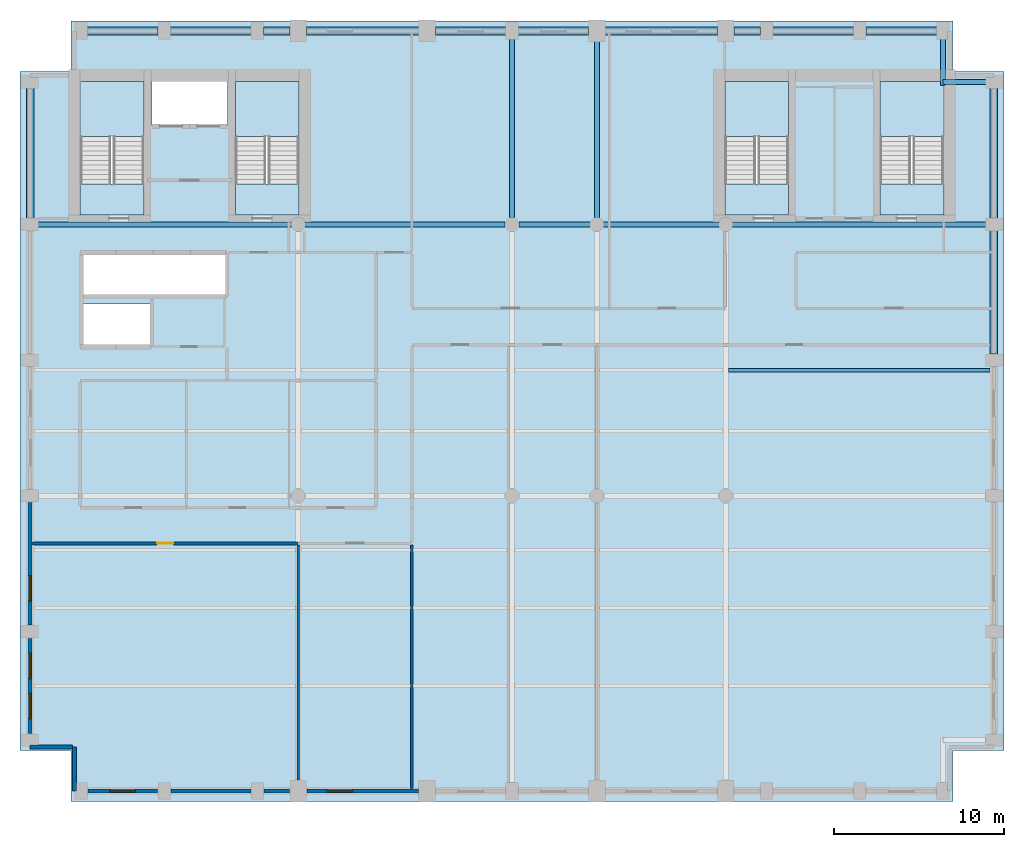
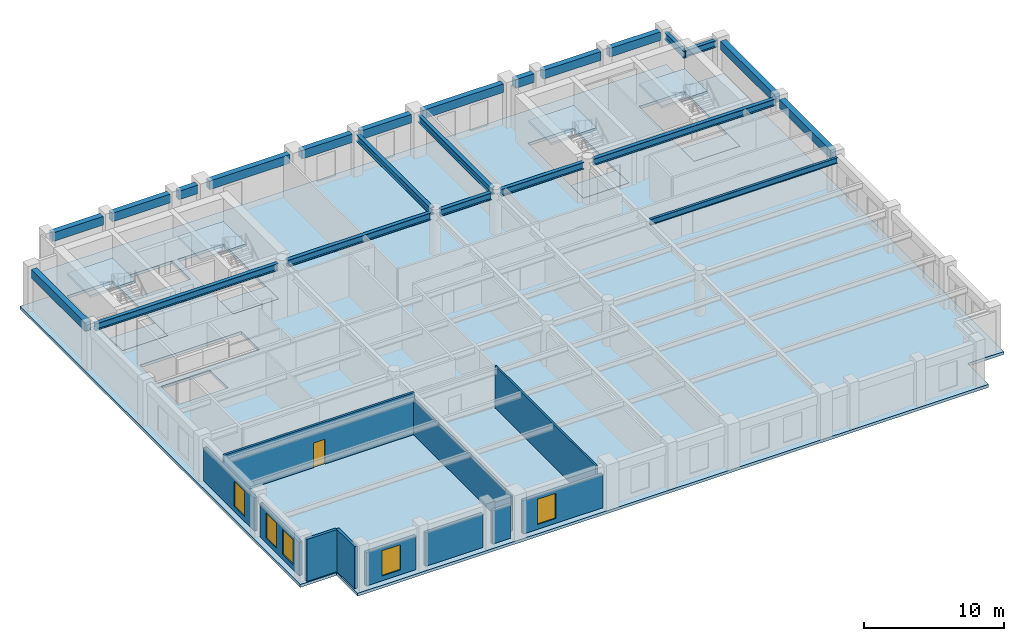
# One storey, part 2 of 8: 23 beams, 11 walls, 9 slabs, 5 windows, 1 door, 6 openings, 4 elements without a shape of their own.
"""IFC4 building model written with IfcOpenShell, lengths in metres."""

from ifc_helpers import new_model, si_unit, direction, frame, frame_2d, origin, origin_2d, place, context, subcontext, project, spatial, polyline, rectangle, i_section, outline, extrude, material, layer, layer_set, material_profile, profile_set, type_object, element, fill, aggregate, save


model = new_model("IFC4")

# Units and contexts
model_context = context("Model", 3, precision=1e-05, world=origin(), true_north=direction((0.0, 1.0)))
body_context = subcontext(model_context, "Body", "Model", "MODEL_VIEW")
ifc_project = project(units=[si_unit("LENGTHUNIT", "METRE"), si_unit("AREAUNIT", "SQUARE_METRE"), si_unit("VOLUMEUNIT", "CUBIC_METRE"), si_unit("PLANEANGLEUNIT", "RADIAN"), si_unit("MASSUNIT", "GRAM", prefix="KILO")], contexts=[model_context])

# Site, building, storey
site_placement = place(None, origin())
site = spatial("IfcSite", under=ifc_project, at=site_placement, CompositionType="ELEMENT")
building_placement = place(site_placement, origin())
building = spatial("IfcBuilding", under=site, at=building_placement, Name="Sulina Concourse Tower", CompositionType="ELEMENT")
storey_placement = place(building_placement, frame((0.0, 0.0, 234.60009765625)))
storey = spatial("IfcBuildingStorey", under=building, at=storey_placement, Name="L57", CompositionType="ELEMENT", Elevation=234.60009765625)

# Beams
ifc_material_1 = material(Name="Steel S355", Category="steel")
ifc_material_profile_1 = material_profile(ifc_material_1, i_section(OverallWidth=0.199951171875, OverallDepth=0.5, WebThickness=0.01025390625, FlangeThickness=0.01611328125, at=origin_2d()), Name="IPE 500")
ifc_profile_set_1 = profile_set([ifc_material_profile_1], Name="Steel S355")
beam_type_1 = type_object("IfcBeamType", Name="Composite Floor Joist IPE500", PredefinedType="JOIST", material=ifc_profile_set_1)
beam_1_placement = place(storey_placement, frame((41.75, 25.39990234375, 3.409912109375), z_axis=(1.0, 0.0, 0.0), x_axis=(0.0, 1.0, 0.0)))
element("IfcBeam", 1, at=beam_1_placement, inside=storey, type_object=beam_type_1, Name="FJ-J25-5-L57", PredefinedType="JOIST", context=body_context, shape_type="SweptSolid", body=[
    extrude(i_section(OverallWidth=0.199951171875, OverallDepth=0.5, WebThickness=0.01025390625, FlangeThickness=0.01611328125, at=origin_2d()), origin(), (0.0, 0.0, 1.0), 15.425048828125),
])
ifc_material_2 = material(Name="Steel S355", Category="steel")
ifc_material_profile_2 = material_profile(ifc_material_2, i_section(OverallWidth=0.300048828125, OverallDepth=0.60009765625, WebThickness=0.015380859375, FlangeThickness=0.030029296875, at=origin_2d()), Name="HE 600 B")
ifc_profile_set_2 = profile_set([ifc_material_profile_2], Name="Steel S355")
beam_type_2 = type_object("IfcBeamType", Name="Floor Primary Girder Zone 3 HE600B", PredefinedType="BEAM", material=ifc_profile_set_2)
beam_2_placement = place(storey_placement, frame((54.39990234375, 42.39990234375, 3.35986328125), z_axis=(1.0, 0.0, 0.0), x_axis=(0.0, 1.0, 0.0)))
element("IfcBeam", 2, at=beam_2_placement, inside=storey, type_object=beam_type_2, Name="TIE-NE-L57", PredefinedType="BEAM", context=body_context, shape_type="SweptSolid", body=[
    extrude(i_section(OverallWidth=0.300048828125, OverallDepth=0.60009765625, WebThickness=0.015380859375, FlangeThickness=0.030029296875, at=origin_2d()), origin(), (0.0, 0.0, 1.0), 2.64501953125),
])
beam_3_placement = place(storey_placement, frame((54.39990234375, 42.199951171875, 3.35986328125), z_axis=(0.0, 1.0, 0.0), x_axis=(-1.0, 0.0, 0.0)))
element("IfcBeam", 3, at=beam_3_placement, inside=storey, type_object=beam_type_2, Name="TIE-NEN-L57", PredefinedType="BEAM", context=body_context, shape_type="SweptSolid", body=[
    extrude(i_section(OverallWidth=0.300048828125, OverallDepth=0.60009765625, WebThickness=0.015380859375, FlangeThickness=0.030029296875, at=origin_2d()), origin(), (0.0, 0.0, 1.0), 2.844970703125),
])
beam_4_placement = place(storey_placement, frame((0.955078125, 34.0, 3.35986328125), z_axis=(1.0, 0.0, 0.0), x_axis=(0.0, 1.0, 0.0)))
element("IfcBeam", 4, at=beam_4_placement, inside=storey, type_object=beam_type_2, Name="FG-EWN1-L57", PredefinedType="BEAM", context=body_context, shape_type="SweptSolid", body=[
    extrude(i_section(OverallWidth=0.300048828125, OverallDepth=0.60009765625, WebThickness=0.015380859375, FlangeThickness=0.030029296875, at=origin_2d()), origin(), (0.0, 0.0, 1.0), 15.0400390625),
])
beam_5_placement = place(storey_placement, frame((16.804931640625, 34.0, 3.35986328125), z_axis=(1.0, 0.0, 0.0), x_axis=(0.0, 1.0, 0.0)))
element("IfcBeam", 5, at=beam_5_placement, inside=storey, type_object=beam_type_2, Name="FG-EWN2-L57", PredefinedType="BEAM", context=body_context, shape_type="SweptSolid", body=[
    extrude(i_section(OverallWidth=0.300048828125, OverallDepth=0.60009765625, WebThickness=0.015380859375, FlangeThickness=0.030029296875, at=origin_2d()), origin(), (0.0, 0.0, 1.0), 11.7900390625),
])
beam_6_placement = place(storey_placement, frame((29.405029296875, 34.0, 3.35986328125), z_axis=(1.0, 0.0, 0.0), x_axis=(0.0, 1.0, 0.0)))
element("IfcBeam", 6, at=beam_6_placement, inside=storey, type_object=beam_type_2, Name="FG-EWN3-L57", PredefinedType="BEAM", context=body_context, shape_type="SweptSolid", body=[
    extrude(i_section(OverallWidth=0.300048828125, OverallDepth=0.60009765625, WebThickness=0.015380859375, FlangeThickness=0.030029296875, at=origin_2d()), origin(), (0.0, 0.0, 1.0), 4.18994140625),
])
beam_7_placement = place(storey_placement, frame((34.405029296875, 34.0, 3.35986328125), z_axis=(1.0, 0.0, 0.0), x_axis=(0.0, 1.0, 0.0)))
element("IfcBeam", 7, at=beam_7_placement, inside=storey, type_object=beam_type_2, Name="FG-EWN4-L57", PredefinedType="BEAM", context=body_context, shape_type="SweptSolid", body=[
    extrude(i_section(OverallWidth=0.300048828125, OverallDepth=0.60009765625, WebThickness=0.015380859375, FlangeThickness=0.030029296875, at=origin_2d()), origin(), (0.0, 0.0, 1.0), 6.7900390625),
])
beam_8_placement = place(storey_placement, frame((42.0048828125, 34.0, 3.35986328125), z_axis=(1.0, 0.0, 0.0), x_axis=(0.0, 1.0, 0.0)))
element("IfcBeam", 8, at=beam_8_placement, inside=storey, type_object=beam_type_2, Name="FG-EWN5-L57", PredefinedType="BEAM", context=body_context, shape_type="SweptSolid", body=[
    extrude(i_section(OverallWidth=0.300048828125, OverallDepth=0.60009765625, WebThickness=0.015380859375, FlangeThickness=0.030029296875, at=origin_2d()), origin(), (0.0, 0.0, 1.0), 15.0400390625),
])
beam_9_placement = place(storey_placement, frame((29.0, 34.405029296875, 3.35986328125), z_axis=(0.0, 1.0, 0.0), x_axis=(-1.0, 0.0, 0.0)))
element("IfcBeam", 9, at=beam_9_placement, inside=storey, type_object=beam_type_2, Name="FG-NSC-29-L57", PredefinedType="BEAM", context=body_context, shape_type="SweptSolid", body=[
    extrude(i_section(OverallWidth=0.300048828125, OverallDepth=0.60009765625, WebThickness=0.015380859375, FlangeThickness=0.030029296875, at=origin_2d()), origin(), (0.0, 0.0, 1.0), 10.639892578125),
])
beam_10_placement = place(storey_placement, frame((34.0, 34.405029296875, 3.35986328125), z_axis=(0.0, 1.0, 0.0), x_axis=(-1.0, 0.0, 0.0)))
element("IfcBeam", 10, at=beam_10_placement, inside=storey, type_object=beam_type_2, Name="FG-NSC-34-L57", PredefinedType="BEAM", context=body_context, shape_type="SweptSolid", body=[
    extrude(i_section(OverallWidth=0.300048828125, OverallDepth=0.60009765625, WebThickness=0.015380859375, FlangeThickness=0.030029296875, at=origin_2d()), origin(), (0.0, 0.0, 1.0), 10.514892578125),
])
ifc_material_3 = material(Name="Precast concrete C50/60", Category="concrete")
ifc_material_profile_3 = material_profile(ifc_material_3, rectangle(XDim=0.449951171875, YDim=0.75, at=origin_2d()), Name="RC 450x750")
ifc_profile_set_3 = profile_set([ifc_material_profile_3], Name="Precast concrete C50/60")
beam_type_3 = type_object("IfcBeamType", Name="Upper Precast Spandrel Edge Beam 450x750", PredefinedType="BEAM", material=ifc_profile_set_3)
beam_11_placement = place(storey_placement, frame((3.955078125, 45.39990234375, 3.284912109375), z_axis=(1.0, 0.0, 0.0), x_axis=(0.0, 1.0, 0.0)))
element("IfcBeam", 11, at=beam_11_placement, inside=storey, type_object=beam_type_3, Name="SP-N1-L57", PredefinedType="BEAM", context=body_context, shape_type="SweptSolid", body=[
    extrude(rectangle(XDim=0.449951171875, YDim=0.75, at=origin_2d()), origin(), (0.0, 0.0, 1.0), 4.18994140625),
])
beam_12_placement = place(storey_placement, frame((8.85498046875, 45.39990234375, 3.284912109375), z_axis=(1.0, 0.0, 0.0), x_axis=(0.0, 1.0, 0.0)))
element("IfcBeam", 12, at=beam_12_placement, inside=storey, type_object=beam_type_3, Name="SP-N2-L57", PredefinedType="BEAM", context=body_context, shape_type="SweptSolid", body=[
    extrude(rectangle(XDim=0.449951171875, YDim=0.75, at=origin_2d()), origin(), (0.0, 0.0, 1.0), 4.7900390625),
])
beam_13_placement = place(storey_placement, frame((14.35498046875, 45.39990234375, 3.284912109375), z_axis=(1.0, 0.0, 0.0), x_axis=(0.0, 1.0, 0.0)))
element("IfcBeam", 13, at=beam_13_placement, inside=storey, type_object=beam_type_3, Name="SP-N3-L57", PredefinedType="BEAM", context=body_context, shape_type="SweptSolid", body=[
    extrude(rectangle(XDim=0.449951171875, YDim=0.75, at=origin_2d()), origin(), (0.0, 0.0, 1.0), 1.56494140625),
])
beam_14_placement = place(storey_placement, frame((16.8798828125, 45.39990234375, 3.284912109375), z_axis=(1.0, 0.0, 0.0), x_axis=(0.0, 1.0, 0.0)))
element("IfcBeam", 14, at=beam_14_placement, inside=storey, type_object=beam_type_3, Name="SP-N4-L57", PredefinedType="BEAM", context=body_context, shape_type="SweptSolid", body=[
    extrude(rectangle(XDim=0.449951171875, YDim=0.75, at=origin_2d()), origin(), (0.0, 0.0, 1.0), 6.64013671875),
])
for number, where, z_axis, x_axis, name in (
    (15, (24.47998046875, 45.39990234375, 3.284912109375), (1.0, 0.0, 0.0), (0.0, 1.0, 0.0), "SP-N5-L57"),
    (16, (29.35498046875, 45.39990234375, 3.284912109375), (1.0, 0.0, 0.0), (0.0, 1.0, 0.0), "SP-N6-L57"),
):
    element("IfcBeam", number, at=place(storey_placement, frame(where, z_axis=z_axis, x_axis=x_axis)), inside=storey, type_object=beam_type_3, Name=name, PredefinedType="BEAM", context=body_context, shape_type="SweptSolid", body=[
        extrude(rectangle(XDim=0.449951171875, YDim=0.75, at=origin_2d()), origin(), (0.0, 0.0, 1.0), 4.1650390625),
    ])
beam_15_placement = place(storey_placement, frame((34.47998046875, 45.39990234375, 3.284912109375), z_axis=(1.0, 0.0, 0.0), x_axis=(0.0, 1.0, 0.0)))
element("IfcBeam", 17, at=beam_15_placement, inside=storey, type_object=beam_type_3, Name="SP-N7-L57", PredefinedType="BEAM", context=body_context, shape_type="SweptSolid", body=[
    extrude(rectangle(XDim=0.449951171875, YDim=0.75, at=origin_2d()), origin(), (0.0, 0.0, 1.0), 6.64013671875),
])
beam_16_placement = place(storey_placement, frame((42.080078125, 45.39990234375, 3.284912109375), z_axis=(1.0, 0.0, 0.0), x_axis=(0.0, 1.0, 0.0)))
element("IfcBeam", 18, at=beam_16_placement, inside=storey, type_object=beam_type_3, Name="SP-N8-L57", PredefinedType="BEAM", context=body_context, shape_type="SweptSolid", body=[
    extrude(rectangle(XDim=0.449951171875, YDim=0.75, at=origin_2d()), origin(), (0.0, 0.0, 1.0), 1.56494140625),
])
beam_17_placement = place(storey_placement, frame((44.35498046875, 45.39990234375, 3.284912109375), z_axis=(1.0, 0.0, 0.0), x_axis=(0.0, 1.0, 0.0)))
element("IfcBeam", 19, at=beam_17_placement, inside=storey, type_object=beam_type_3, Name="SP-N9-L57", PredefinedType="BEAM", context=body_context, shape_type="SweptSolid", body=[
    extrude(rectangle(XDim=0.449951171875, YDim=0.75, at=origin_2d()), origin(), (0.0, 0.0, 1.0), 4.7900390625),
])
beam_18_placement = place(storey_placement, frame((49.85498046875, 45.39990234375, 3.284912109375), z_axis=(1.0, 0.0, 0.0), x_axis=(0.0, 1.0, 0.0)))
element("IfcBeam", 20, at=beam_18_placement, inside=storey, type_object=beam_type_3, Name="SP-N10-L57", PredefinedType="BEAM", context=body_context, shape_type="SweptSolid", body=[
    extrude(rectangle(XDim=0.449951171875, YDim=0.75, at=origin_2d()), origin(), (0.0, 0.0, 1.0), 4.18994140625),
])
beam_19_placement = place(storey_placement, frame((0.60009765625, 34.35498046875, 3.284912109375), z_axis=(0.0, 1.0, 0.0), x_axis=(-1.0, 0.0, 0.0)))
element("IfcBeam", 21, at=beam_19_placement, inside=storey, type_object=beam_type_3, Name="SP-W5-L57", PredefinedType="BEAM", context=body_context, shape_type="SweptSolid", body=[
    extrude(rectangle(XDim=0.449951171875, YDim=0.75, at=origin_2d()), origin(), (0.0, 0.0, 1.0), 7.68994140625),
])
beam_20_placement = place(storey_placement, frame((57.39990234375, 26.35498046875, 3.284912109375), z_axis=(0.0, 1.0, 0.0), x_axis=(-1.0, 0.0, 0.0)))
element("IfcBeam", 22, at=beam_20_placement, inside=storey, type_object=beam_type_3, Name="SP-E4-L57", PredefinedType="BEAM", context=body_context, shape_type="SweptSolid", body=[
    extrude(rectangle(XDim=0.449951171875, YDim=0.75, at=origin_2d()), origin(), (0.0, 0.0, 1.0), 7.2900390625),
])
beam_21_placement = place(storey_placement, frame((57.39990234375, 34.35498046875, 3.284912109375), z_axis=(0.0, 1.0, 0.0), x_axis=(-1.0, 0.0, 0.0)))
element("IfcBeam", 23, at=beam_21_placement, inside=storey, type_object=beam_type_3, Name="SP-E5-L57", PredefinedType="BEAM", context=body_context, shape_type="SweptSolid", body=[
    extrude(rectangle(XDim=0.449951171875, YDim=0.75, at=origin_2d()), origin(), (0.0, 0.0, 1.0), 7.68994140625),
])

# Slabs
ifc_material_4 = material(Name="Concrete C50/60", Category="concrete")
ifc_layer_1 = layer(ifc_material_4, 0.25)
ifc_layer_set_1 = layer_set([ifc_layer_1], Name="Concrete C50/60")
slab_type_1 = type_object("IfcSlabType", Name="High-Rise Composite Floor Slab 250mm", PredefinedType="FLOOR", material=ifc_layer_set_1)
slab_1_placement = place(storey_placement, frame((0.0, 0.0, -0.25)))
element("IfcSlab", 24, at=slab_1_placement, inside=storey, type_object=slab_type_1, Name="L57 structural floor slab", PredefinedType="FLOOR", context=body_context, shape_type="SweptSolid", body=[
    extrude(outline(polyline([(3.0, 0.0), (55.0, 0.0), (55.0, 3.0), (58.0, 3.0), (58.0, 43.0), (55.0, 43.0), (55.0, 46.0), (3.0, 46.0), (3.0, 43.0), (0.0, 43.0), (0.0, 3.0), (3.0, 3.0), (3.0, 0.0)]), holes=[polyline([(7.31005859375, 34.550048828125), (7.31005859375, 42.429931640625), (3.550048828125, 42.429931640625), (3.550048828125, 34.550048828125), (7.31005859375, 34.550048828125)]), polyline([(16.449951171875, 34.550048828125), (16.449951171875, 42.429931640625), (12.68994140625, 42.429931640625), (12.68994140625, 34.550048828125), (16.449951171875, 34.550048828125)]), polyline([(45.31005859375, 34.550048828125), (45.31005859375, 42.429931640625), (41.550048828125, 42.429931640625), (41.550048828125, 34.550048828125), (45.31005859375, 34.550048828125)]), polyline([(54.449951171875, 34.550048828125), (54.449951171875, 42.429931640625), (50.68994140625, 42.429931640625), (50.68994140625, 34.550048828125), (54.449951171875, 34.550048828125)]), polyline([(7.780029296875, 39.830078125), (12.219970703125, 39.830078125), (12.219970703125, 42.449951171875), (7.780029296875, 42.449951171875), (7.780029296875, 39.830078125)]), polyline([(3.739990234375, 26.780029296875), (7.77001953125, 26.780029296875), (7.77001953125, 29.320068359375), (3.739990234375, 29.320068359375), (3.739990234375, 26.780029296875)]), polyline([(3.739990234375, 29.780029296875), (12.10009765625, 29.780029296875), (12.10009765625, 32.3701171875), (3.739990234375, 32.3701171875), (3.739990234375, 29.780029296875)])]), origin(), (0.0, 0.0, 1.0), 0.25),
])
ifc_material_5 = material(Name="Concrete C50/60", Category="concrete")
ifc_layer_2 = layer(ifc_material_5, 0.199951171875)
ifc_layer_set_2 = layer_set([ifc_layer_2], Name="Concrete C50/60")
slab_type_2 = type_object("IfcSlabType", Name="Primary Core Stair Landing Slab 200mm", PredefinedType="LANDING", material=ifc_layer_set_2)
slab_2_placement = place(storey_placement, frame((0.0, 0.0, -0.2001953125)))
element("IfcSlab", 25, at=slab_2_placement, inside=storey, type_object=slab_type_2, Name="L57 ST-1 floor landing slab", PredefinedType="LANDING", context=body_context, shape_type="SweptSolid", body=[
    extrude(outline(polyline([(7.31005859375, 34.550048828125), (7.31005859375, 36.375), (3.550048828125, 36.375), (3.550048828125, 34.550048828125), (7.31005859375, 34.550048828125)])), origin(), (0.0, 0.0, 1.0), 0.2001953125),
])
slab_3_placement = place(storey_placement, frame((0.0, 0.0, -0.2001953125)))
element("IfcSlab", 26, at=slab_3_placement, inside=storey, type_object=slab_type_2, Name="L57 ST-2 floor landing slab", PredefinedType="LANDING", context=body_context, shape_type="SweptSolid", body=[
    extrude(outline(polyline([(16.449951171875, 34.550048828125), (16.449951171875, 36.375), (12.68994140625, 36.375), (12.68994140625, 34.550048828125), (16.449951171875, 34.550048828125)])), origin(), (0.0, 0.0, 1.0), 0.2001953125),
])
slab_4_placement = place(storey_placement, frame((0.0, 0.0, -0.2001953125)))
element("IfcSlab", 27, at=slab_4_placement, inside=storey, type_object=slab_type_2, Name="L57 ST-3 floor landing slab", PredefinedType="LANDING", context=body_context, shape_type="SweptSolid", body=[
    extrude(outline(polyline([(45.31005859375, 34.550048828125), (45.31005859375, 36.375), (41.550048828125, 36.375), (41.550048828125, 34.550048828125), (45.31005859375, 34.550048828125)])), origin(), (0.0, 0.0, 1.0), 0.2001953125),
])
slab_5_placement = place(storey_placement, frame((0.0, 0.0, -0.2001953125)))
element("IfcSlab", 28, at=slab_5_placement, inside=storey, type_object=slab_type_2, Name="L57 ST-4 floor landing slab", PredefinedType="LANDING", context=body_context, shape_type="SweptSolid", body=[
    extrude(outline(polyline([(54.449951171875, 34.550048828125), (54.449951171875, 36.375), (50.68994140625, 36.375), (50.68994140625, 34.550048828125), (54.449951171875, 34.550048828125)])), origin(), (0.0, 0.0, 1.0), 0.2001953125),
])

# Stair, slab
ifc_material_6 = material(Name="Concrete C50/60", Category="concrete")
stair_type_1 = type_object("IfcStairType", Name="Primary Core Dog-Leg Exit Stair 1800mm", PredefinedType="HALF_TURN_STAIR", material=ifc_material_6)
stair_1_placement = place(storey_placement, origin())
stair_1 = element("IfcStair", 29, at=stair_1_placement, inside=storey, type_object=stair_type_1, Name="L57 ST-1", PredefinedType="HALF_TURN_STAIR")
slab_6_placement = place(storey_placement, frame((0.0, 0.0, 1.7998046875)))
slab_6 = element("IfcSlab", 30, at=slab_6_placement, type_object=slab_type_2, Name="ST-1 landing 1", PredefinedType="LANDING", context=body_context, shape_type="SweptSolid", body=[
    extrude(outline(polyline([(7.304931640625, 39.175048828125), (7.304931640625, 42.425048828125), (3.554931640625, 42.425048828125), (3.554931640625, 39.175048828125), (7.304931640625, 39.175048828125)])), origin(), (0.0, 0.0, 1.0), 0.2001953125),
])
aggregate(stair_1, [slab_6])

stair_2_placement = place(storey_placement, origin())
stair_2 = element("IfcStair", 31, at=stair_2_placement, inside=storey, type_object=stair_type_1, Name="L57 ST-2", PredefinedType="HALF_TURN_STAIR")
slab_7_placement = place(storey_placement, frame((0.0, 0.0, 1.7998046875)))
slab_7 = element("IfcSlab", 32, at=slab_7_placement, type_object=slab_type_2, Name="ST-2 landing 1", PredefinedType="LANDING", context=body_context, shape_type="SweptSolid", body=[
    extrude(outline(polyline([(16.445068359375, 39.175048828125), (16.445068359375, 42.425048828125), (12.695068359375, 42.425048828125), (12.695068359375, 39.175048828125), (16.445068359375, 39.175048828125)])), origin(), (0.0, 0.0, 1.0), 0.2001953125),
])
aggregate(stair_2, [slab_7])

ifc_material_7 = material(Name="Concrete C50/60", Category="concrete")
stair_type_2 = type_object("IfcStairType", Name="Portal & Podium Core Exit Stair 1820mm", PredefinedType="HALF_TURN_STAIR", material=ifc_material_7)
stair_3_placement = place(storey_placement, origin())
stair_3 = element("IfcStair", 33, at=stair_3_placement, inside=storey, type_object=stair_type_2, Name="L57 ST-3", PredefinedType="HALF_TURN_STAIR")
slab_8_placement = place(storey_placement, frame((0.0, 0.0, 1.7998046875)))
slab_8 = element("IfcSlab", 34, at=slab_8_placement, type_object=slab_type_2, Name="ST-3 landing 1", PredefinedType="LANDING", context=body_context, shape_type="SweptSolid", body=[
    extrude(outline(polyline([(45.304931640625, 39.175048828125), (45.304931640625, 42.425048828125), (41.554931640625, 42.425048828125), (41.554931640625, 39.175048828125), (45.304931640625, 39.175048828125)])), origin(), (0.0, 0.0, 1.0), 0.2001953125),
])
aggregate(stair_3, [slab_8])

stair_4_placement = place(storey_placement, origin())
stair_4 = element("IfcStair", 35, at=stair_4_placement, inside=storey, type_object=stair_type_2, Name="L57 ST-4", PredefinedType="HALF_TURN_STAIR")
slab_9_placement = place(storey_placement, frame((0.0, 0.0, 1.7998046875)))
slab_9 = element("IfcSlab", 36, at=slab_9_placement, type_object=slab_type_2, Name="ST-4 landing 1", PredefinedType="LANDING", context=body_context, shape_type="SweptSolid", body=[
    extrude(outline(polyline([(54.445068359375, 39.175048828125), (54.445068359375, 42.425048828125), (50.695068359375, 42.425048828125), (50.695068359375, 39.175048828125), (54.445068359375, 39.175048828125)])), origin(), (0.0, 0.0, 1.0), 0.2001953125),
])
aggregate(stair_4, [slab_9])

# Wall, opening, window
ifc_material_8 = material(Name="Precast concrete C50/60", Category="concrete")
ifc_layer_3 = layer(ifc_material_8, 0.239990234375)
ifc_layer_set_3 = layer_set([ifc_layer_3], Name="Precast concrete C50/60")
wall_type_1 = type_object("IfcWallType", Name="Crown Precast Masonry-Frame Facade Wall 240mm", PredefinedType="SOLIDWALL", material=ifc_layer_set_3)
wall_1_placement = place(storey_placement, frame((8.10498046875, 0.60009765625, 0.0), z_axis=(0.0, 0.0, 1.0), x_axis=(-1.0, 0.0, 0.0)))
wall_1 = element("IfcWall", 37, at=wall_1_placement, inside=storey, type_object=wall_type_1, Name="L57 exterior precast wall S1", PredefinedType="SOLIDWALL", context=body_context, shape_type="SweptSolid", body=[
    extrude(rectangle(XDim=4.10986328125, YDim=0.239990234375, at=frame_2d((2.054931640625, 0.0))), origin(), (0.0, 0.0, 1.0), 2.909912109375),
])
opening_1_placement = place(wall_1_placement, frame((1.304931640625, 0.0, 0.419921875)))
opening_1 = element("IfcOpeningElement", 38, at=opening_1_placement, cuts=wall_1, Name="Opening WN-71", PredefinedType="OPENING", context=body_context, shape_type="SweptSolid", body=[
    extrude(rectangle(XDim=1.5, YDim=2.199951171875, at=frame_2d((0.75, 1.10009765625))), frame((0.0, 0.1298828125, 0.0), z_axis=(0.0, -1.0, 0.0), x_axis=(1.0, 0.0, 0.0)), (0.0, 0.0, 1.0), 0.260009765625),
])
ifc_material_9 = material(Name="Low-E solar double glazing in bronze aluminium", Category="aluminium")
window_type = type_object("IfcWindowType", Name="Punched Masonry-Frame Window 1500x2200", PartitioningType="SINGLE_PANEL", PredefinedType="WINDOW", material=ifc_material_9)
window_1_placement = place(opening_1_placement, origin())
window_1 = element("IfcWindow", 39, at=window_1_placement, inside=storey, type_object=window_type, Name="L57 punched window S1-1", OverallHeight=2.199951171875, OverallWidth=1.5, PartitioningType="SINGLE_PANEL", PredefinedType="WINDOW", context=body_context, shape_type="SweptSolid", body=[
    extrude(rectangle(XDim=1.5, YDim=2.199951171875, at=frame_2d((0.75, 1.10009765625))), frame((0.0, 0.030029296875, 0.0), z_axis=(0.0, -1.0, 0.0), x_axis=(1.0, 0.0, 0.0)), (0.0, 0.0, 1.0), 0.06005859375),
])
fill(opening_1, window_1)

# Walls
wall_2_placement = place(storey_placement, frame((13.60498046875, 0.60009765625, 0.0), z_axis=(0.0, 0.0, 1.0), x_axis=(-1.0, 0.0, 0.0)))
element("IfcWall", 40, at=wall_2_placement, inside=storey, type_object=wall_type_1, Name="L57 exterior precast wall S2", PredefinedType="SOLIDWALL", context=body_context, shape_type="SweptSolid", body=[
    extrude(rectangle(XDim=4.7099609375, YDim=0.239990234375, at=frame_2d((2.35498046875, 0.0))), origin(), (0.0, 0.0, 1.0), 2.909912109375),
])
wall_3_placement = place(storey_placement, frame((15.8798828125, 0.60009765625, 0.0), z_axis=(0.0, 0.0, 1.0), x_axis=(-1.0, 0.0, 0.0)))
element("IfcWall", 41, at=wall_3_placement, inside=storey, type_object=wall_type_1, Name="L57 exterior precast wall S3", PredefinedType="SOLIDWALL", context=body_context, shape_type="SweptSolid", body=[
    extrude(rectangle(XDim=1.48486328125, YDim=0.239990234375, at=frame_2d((0.742431640625, 0.0))), origin(), (0.0, 0.0, 1.0), 2.909912109375),
])

# Wall, opening, window
wall_4_placement = place(storey_placement, frame((23.47998046875, 0.60009765625, 0.0), z_axis=(0.0, 0.0, 1.0), x_axis=(-1.0, 0.0, 0.0)))
wall_4 = element("IfcWall", 42, at=wall_4_placement, inside=storey, type_object=wall_type_1, Name="L57 exterior precast wall S4", PredefinedType="SOLIDWALL", context=body_context, shape_type="SweptSolid", body=[
    extrude(rectangle(XDim=6.56005859375, YDim=0.239990234375, at=frame_2d((3.280029296875, 0.0))), origin(), (0.0, 0.0, 1.0), 2.909912109375),
])
opening_2_placement = place(wall_4_placement, frame((3.873291015625, 0.0, 0.419921875)))
opening_2 = element("IfcOpeningElement", 43, at=opening_2_placement, cuts=wall_4, Name="Opening WN-71", PredefinedType="OPENING", context=body_context, shape_type="SweptSolid", body=[
    extrude(rectangle(XDim=1.5, YDim=2.199951171875, at=frame_2d((0.75, 1.10009765625))), frame((0.0, 0.1298828125, 0.0), z_axis=(0.0, -1.0, 0.0), x_axis=(1.0, 0.0, 0.0)), (0.0, 0.0, 1.0), 0.260009765625),
])
window_2_placement = place(opening_2_placement, origin())
window_2 = element("IfcWindow", 44, at=window_2_placement, inside=storey, type_object=window_type, Name="L57 punched window S4-1", OverallHeight=2.199951171875, OverallWidth=1.5, PartitioningType="SINGLE_PANEL", PredefinedType="WINDOW", context=body_context, shape_type="SweptSolid", body=[
    extrude(rectangle(XDim=1.5, YDim=2.199951171875, at=frame_2d((0.75, 1.10009765625))), frame((0.0, 0.030029296875, 0.0), z_axis=(0.0, -1.0, 0.0), x_axis=(1.0, 0.0, 0.0)), (0.0, 0.0, 1.0), 0.06005859375),
])
fill(opening_2, window_2)

# Wall, openings, windows
wall_5_placement = place(storey_placement, frame((0.60009765625, 3.9951171875, 0.0), z_axis=(0.0, 0.0, 1.0), x_axis=(0.0, 1.0, 0.0)))
wall_5 = element("IfcWall", 45, at=wall_5_placement, inside=storey, type_object=wall_type_1, Name="L57 exterior precast wall W1", PredefinedType="SOLIDWALL", context=body_context, shape_type="SweptSolid", body=[
    extrude(rectangle(XDim=5.60986328125, YDim=0.239990234375, at=frame_2d((2.804931640625, 0.0))), origin(), (0.0, 0.0, 1.0), 2.909912109375),
])
opening_3_placement = place(wall_5_placement, frame((0.8701171875, 0.0, 0.419921875)))
opening_3 = element("IfcOpeningElement", 46, at=opening_3_placement, cuts=wall_5, Name="Opening WN-71", PredefinedType="OPENING", context=body_context, shape_type="SweptSolid", body=[
    extrude(rectangle(XDim=1.5, YDim=2.199951171875, at=frame_2d((0.75, 1.10009765625))), frame((0.0, 0.1298828125, 0.0), z_axis=(0.0, -1.0, 0.0), x_axis=(1.0, 0.0, 0.0)), (0.0, 0.0, 1.0), 0.260009765625),
])
opening_4_placement = place(wall_5_placement, frame((3.239990234375, 0.0, 0.419921875)))
opening_4 = element("IfcOpeningElement", 47, at=opening_4_placement, cuts=wall_5, Name="Opening WN-71", PredefinedType="OPENING", context=body_context, shape_type="SweptSolid", body=[
    extrude(rectangle(XDim=1.5, YDim=2.199951171875, at=frame_2d((0.75, 1.10009765625))), frame((0.0, 0.1298828125, 0.0), z_axis=(0.0, -1.0, 0.0), x_axis=(1.0, 0.0, 0.0)), (0.0, 0.0, 1.0), 0.260009765625),
])
window_3_placement = place(opening_3_placement, origin())
window_3 = element("IfcWindow", 48, at=window_3_placement, inside=storey, type_object=window_type, Name="L57 punched window W1-1", OverallHeight=2.199951171875, OverallWidth=1.5, PartitioningType="SINGLE_PANEL", PredefinedType="WINDOW", context=body_context, shape_type="SweptSolid", body=[
    extrude(rectangle(XDim=1.5, YDim=2.199951171875, at=frame_2d((0.75, 1.10009765625))), frame((0.0, 0.030029296875, 0.0), z_axis=(0.0, -1.0, 0.0), x_axis=(1.0, 0.0, 0.0)), (0.0, 0.0, 1.0), 0.06005859375),
])
fill(opening_3, window_3)
window_4_placement = place(opening_4_placement, origin())
window_4 = element("IfcWindow", 49, at=window_4_placement, inside=storey, type_object=window_type, Name="L57 punched window W1-2", OverallHeight=2.199951171875, OverallWidth=1.5, PartitioningType="SINGLE_PANEL", PredefinedType="WINDOW", context=body_context, shape_type="SweptSolid", body=[
    extrude(rectangle(XDim=1.5, YDim=2.199951171875, at=frame_2d((0.75, 1.10009765625))), frame((0.0, 0.030029296875, 0.0), z_axis=(0.0, -1.0, 0.0), x_axis=(1.0, 0.0, 0.0)), (0.0, 0.0, 1.0), 0.06005859375),
])
fill(opening_4, window_4)

# Wall, opening, window
wall_6_placement = place(storey_placement, frame((0.60009765625, 10.39501953125, 0.0), z_axis=(0.0, 0.0, 1.0), x_axis=(0.0, 1.0, 0.0)))
wall_6 = element("IfcWall", 50, at=wall_6_placement, inside=storey, type_object=wall_type_1, Name="L57 exterior precast wall W2", PredefinedType="SOLIDWALL", context=body_context, shape_type="SweptSolid", body=[
    extrude(rectangle(XDim=7.2099609375, YDim=0.239990234375, at=frame_2d((3.60498046875, 0.0))), origin(), (0.0, 0.0, 1.0), 2.909912109375),
])
opening_5_placement = place(wall_6_placement, frame((1.4033203125, 0.0, 0.419921875)))
opening_5 = element("IfcOpeningElement", 51, at=opening_5_placement, cuts=wall_6, Name="Opening WN-71", PredefinedType="OPENING", context=body_context, shape_type="SweptSolid", body=[
    extrude(rectangle(XDim=1.5, YDim=2.199951171875, at=frame_2d((0.75, 1.10009765625))), frame((0.0, 0.1298828125, 0.0), z_axis=(0.0, -1.0, 0.0), x_axis=(1.0, 0.0, 0.0)), (0.0, 0.0, 1.0), 0.260009765625),
])
window_5_placement = place(opening_5_placement, origin())
window_5 = element("IfcWindow", 52, at=window_5_placement, inside=storey, type_object=window_type, Name="L57 punched window W2-1", OverallHeight=2.199951171875, OverallWidth=1.5, PartitioningType="SINGLE_PANEL", PredefinedType="WINDOW", context=body_context, shape_type="SweptSolid", body=[
    extrude(rectangle(XDim=1.5, YDim=2.199951171875, at=frame_2d((0.75, 1.10009765625))), frame((0.0, 0.030029296875, 0.0), z_axis=(0.0, -1.0, 0.0), x_axis=(1.0, 0.0, 0.0)), (0.0, 0.0, 1.0), 0.06005859375),
])
fill(opening_5, window_5)

# Walls
wall_7_placement = place(storey_placement, frame((3.205078125, 0.60009765625, 0.0), z_axis=(0.0, 0.0, 1.0), x_axis=(0.0, 1.0, 0.0)))
element("IfcWall", 53, at=wall_7_placement, inside=storey, type_object=wall_type_1, Name="L57 exterior precast wall CSW1", PredefinedType="SOLIDWALL", context=body_context, shape_type="SweptSolid", body=[
    extrude(rectangle(XDim=2.60498046875, YDim=0.239990234375, at=frame_2d((1.302490234375, 0.0))), origin(), (0.0, 0.0, 1.0), 3.659912109375),
])
wall_8_placement = place(storey_placement, frame((3.080078125, 3.205078125, 0.0), z_axis=(0.0, 0.0, 1.0), x_axis=(-1.0, 0.0, 0.0)))
element("IfcWall", 54, at=wall_8_placement, inside=storey, type_object=wall_type_1, Name="L57 exterior precast wall CSW2", PredefinedType="SOLIDWALL", context=body_context, shape_type="SweptSolid", body=[
    extrude(rectangle(XDim=2.47998046875, YDim=0.239990234375, at=frame_2d((1.239990234375, 0.0))), origin(), (0.0, 0.0, 1.0), 3.659912109375),
])
ifc_material_10 = material(Name="Gypsum board on steel stud", Category="steel")
ifc_layer_4 = layer(ifc_material_10, 0.14990234375)
ifc_layer_set_4 = layer_set([ifc_layer_4], Name="Gypsum board on steel stud")
wall_type_2 = type_object("IfcWallType", Name="Inter-Tenancy Acoustic Partition 150mm", PredefinedType="PARTITIONING", material=ifc_layer_set_4)
wall_9_placement = place(storey_placement, frame((16.39990234375, 1.25, 0.0), z_axis=(0.0, 0.0, 1.0), x_axis=(0.0, 1.0, 0.0)))
element("IfcWall", 55, at=wall_9_placement, inside=storey, type_object=wall_type_2, Name="L57 interior partition 032", PredefinedType="PARTITIONING", context=body_context, shape_type="SweptSolid", body=[
    extrude(rectangle(XDim=13.860107421875, YDim=0.14990234375, at=frame_2d((6.93017578125, 0.0))), origin(), (0.0, 0.0, 1.0), 3.054931640625),
])
wall_10_placement = place(storey_placement, frame((23.10009765625, 0.719970703125, 0.0), z_axis=(0.0, 0.0, 1.0), x_axis=(0.0, 1.0, 0.0)))
element("IfcWall", 56, at=wall_10_placement, inside=storey, type_object=wall_type_2, Name="L57 interior partition 036", PredefinedType="PARTITIONING", context=body_context, shape_type="SweptSolid", body=[
    extrude(rectangle(XDim=14.39013671875, YDim=0.14990234375, at=frame_2d((7.195068359375, 0.0))), origin(), (0.0, 0.0, 1.0), 3.659912109375),
])

# Wall, opening, door
ifc_material_11 = material(Name="Gypsum board on steel stud", Category="steel")
ifc_layer_5 = layer(ifc_material_11, 0.179931640625)
ifc_layer_set_5 = layer_set([ifc_layer_5], Name="Gypsum board on steel stud")
wall_type_3 = type_object("IfcWallType", Name="Protected Corridor & Riser Partition 180mm", PredefinedType="PARTITIONING", material=ifc_layer_set_5)
wall_11_placement = place(storey_placement, frame((0.719970703125, 15.199951171875, 0.0), z_axis=(0.0, 0.0, 1.0), x_axis=(1.0, 0.0, 0.0)))
wall_11 = element("IfcWall", 57, at=wall_11_placement, inside=storey, type_object=wall_type_3, Name="L57 interior partition 001", PredefinedType="PARTITIONING", context=body_context, shape_type="SweptSolid", body=[
    extrude(rectangle(XDim=15.679931640625, YDim=0.179931640625, at=frame_2d((7.83984375, 0.0))), origin(), (0.0, 0.0, 1.0), 3.659912109375),
])
opening_6_placement = place(wall_11_placement, frame((7.364990234375, 0.0, 0.0)))
opening_6 = element("IfcOpeningElement", 58, at=opening_6_placement, cuts=wall_11, Name="Opening DR-19", PredefinedType="OPENING", context=body_context, shape_type="SweptSolid", body=[
    extrude(rectangle(XDim=0.949951171875, YDim=2.14990234375, at=frame_2d((0.47509765625, 1.074951171875))), frame((0.0, 0.099853515625, 0.0), z_axis=(0.0, -1.0, 0.0), x_axis=(1.0, 0.0, 0.0)), (0.0, 0.0, 1.0), 0.199951171875),
])
ifc_material_12 = material(Name="Oak-veneered acoustic timber leaf", Category="wood")
ifc_layer_6 = layer(ifc_material_12, 0.050048828125)
ifc_layer_set_6 = layer_set([ifc_layer_6], Name="Oak-veneered acoustic timber leaf")
door_type = type_object("IfcDoorType", Name="Cellular Office & Meeting Door 950x2150", OperationType="NOTDEFINED", PredefinedType="DOOR", material=ifc_layer_set_6)
door_placement = place(opening_6_placement, origin())
door = element("IfcDoor", 59, at=door_placement, inside=storey, type_object=door_type, Name="L57 interior door L57-S01", OperationType="SINGLE_SWING_LEFT", OverallHeight=2.14990234375, OverallWidth=0.949951171875, PredefinedType="DOOR", context=body_context, shape_type="SweptSolid", body=[
    extrude(rectangle(XDim=0.949951171875, YDim=2.14990234375, at=frame_2d((0.47509765625, 1.074951171875))), frame((0.0, 0.02490234375, 0.0), z_axis=(0.0, -1.0, 0.0), x_axis=(1.0, 0.0, 0.0)), (0.0, 0.0, 1.0), 0.050048828125),
])
fill(opening_6, door)

save(model, "model.ifc")
